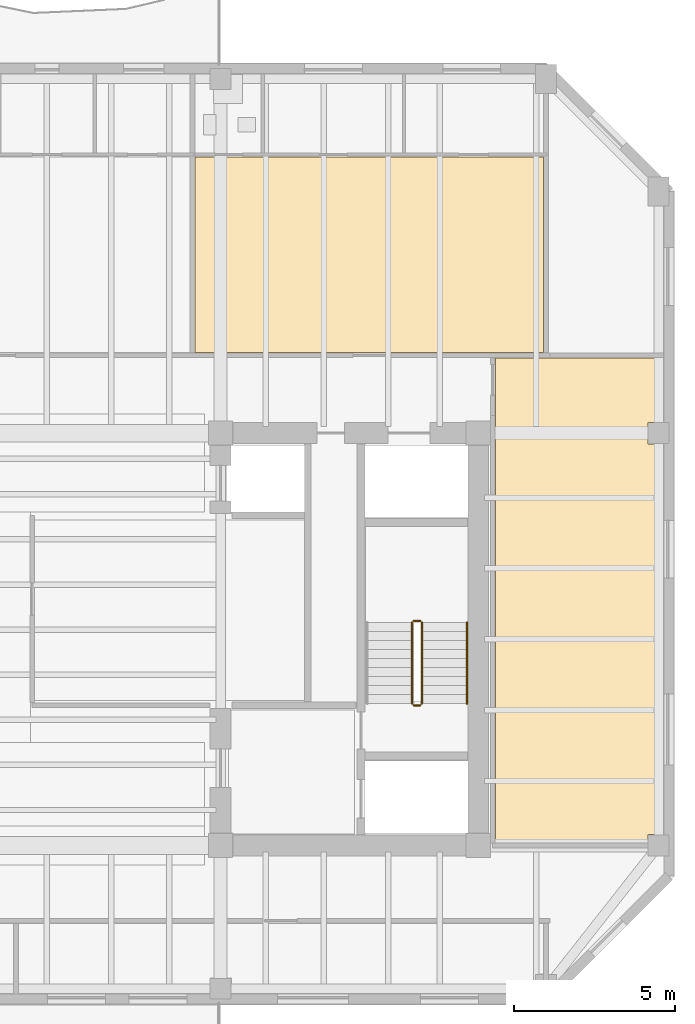
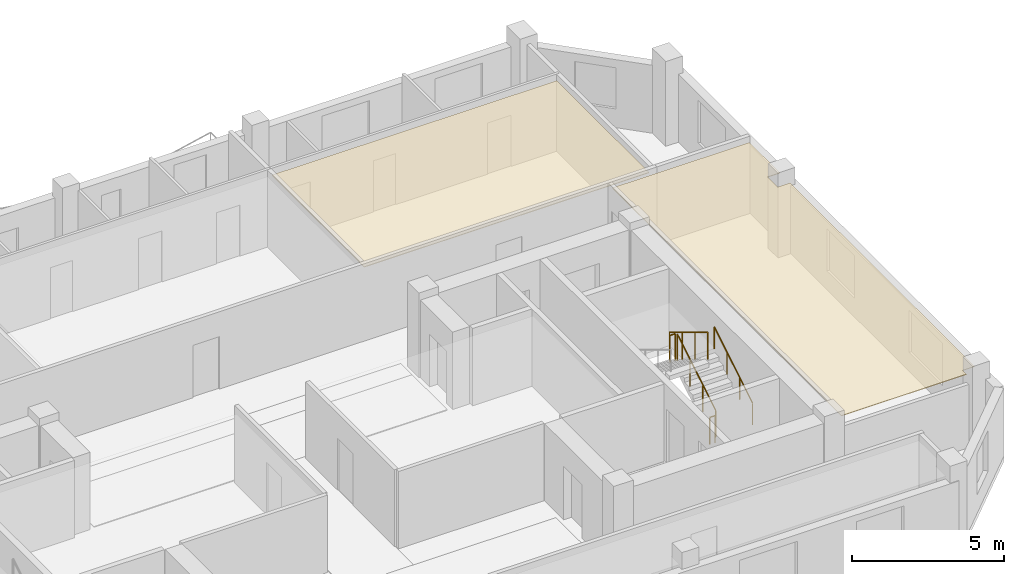
# One storey, part 9 of 10: 5 railings, 2 coverings.
"""IFC4 building model written with IfcOpenShell, lengths in metres."""

import ifcopenshell
import ifcopenshell.guid

model = None  # the IFC model being written
_history = None  # IfcOwnerHistory: only IFC2X3 demands one
_inside = {}  # id of a spatial element -> (the spatial element, [elements in it])
_under = {}  # id of a project, library or spatial element -> (it, [spatial elements below it])
_declared = {}  # id of a project -> (the project, [libraries it declares])
_typed = {}  # id of a type object -> (the type object, [elements of that type])
_made_of = {}  # id of a material, layer set ... -> (it, [elements and type objects made of it])


def new_model(schema):
    """Start an empty IFC model of exactly this schema.

    Asked for "IFC4X3", IfcOpenShell would pick the latest addendum, in which some entities
    have other attributes; the version numbers below select the first issue.
    IFC2X3 requires an IfcOwnerHistory on every rooted entity: one is made here for all.
    """
    global model, _history
    if schema == "IFC4X3":
        model = ifcopenshell.file(schema_version=(4, 3, 0, 0))
    else:
        model = ifcopenshell.file(schema=schema)
    _inside.clear()
    _under.clear()
    _declared.clear()
    _typed.clear()
    _made_of.clear()
    _history = None
    if model.schema == "IFC2X3":
        org = make("IfcOrganization", Name="unknown")
        user = make(
            "IfcPersonAndOrganization",
            ThePerson=make("IfcPerson", FamilyName="unknown"),
            TheOrganization=org,
        )
        app = make(
            "IfcApplication",
            ApplicationDeveloper=org,
            Version="unknown",
            ApplicationFullName="unknown",
            ApplicationIdentifier="unknown",
        )
        _history = make(
            "IfcOwnerHistory",
            OwningUser=user,
            OwningApplication=app,
            ChangeAction="ADDED",
            CreationDate=0,
        )
    return model


def make(cls, **values):
    """One entity of the class cls with the attributes given. An attribute that is None is left unset."""
    return model.create_entity(
        cls, **{name: value for name, value in values.items() if value is not None}
    )


def rooted(cls, **values):
    """An entity with a GlobalId (a new one), such as an element, a storey or a relation."""
    return make(cls, GlobalId=ifcopenshell.guid.new(), OwnerHistory=_history, **values)


def si_unit(unit_type, name, prefix=None):
    """IfcSIUnit, for example si_unit("LENGTHUNIT", "METRE", prefix="MILLI")."""
    return make("IfcSIUnit", UnitType=unit_type, Prefix=prefix, Name=name)


def assignment(units):
    """IfcUnitAssignment: the units of a project."""
    return None if units is None else make("IfcUnitAssignment", Units=units)


def point(xyz):
    """IfcCartesianPoint."""
    return None if xyz is None else make("IfcCartesianPoint", Coordinates=xyz)


def direction(xyz):
    """IfcDirection."""
    return None if xyz is None else make("IfcDirection", DirectionRatios=xyz)


def frame(location, z_axis=None, x_axis=None):
    """IfcAxis2Placement3D, a coordinate frame: its origin and axes. An axis left out is left unset."""
    return make(
        "IfcAxis2Placement3D",
        Location=point(location),
        Axis=direction(z_axis),
        RefDirection=direction(x_axis),
    )


def frame_2d(location, x_axis=None):
    """IfcAxis2Placement2D, a coordinate frame in the plane: its origin and x axis."""
    return make(
        "IfcAxis2Placement2D", Location=point(location), RefDirection=direction(x_axis)
    )


def origin():
    """The frame at (0, 0, 0) with its axes left unset."""
    return frame((0.0, 0.0, 0.0))


def origin_2d():
    """The frame at (0, 0) in the plane with its x axis left unset."""
    return frame_2d((0.0, 0.0))


def place(relative_to, where):
    """IfcLocalPlacement: puts the frame where relative to a parent placement (None: the world)."""
    return make(
        "IfcLocalPlacement", PlacementRelTo=relative_to, RelativePlacement=where
    )


def context(
    kind, dimensions, precision=None, world=None, true_north=None, identifier=None
):
    """IfcGeometricRepresentationContext, for example the 3D "Model" context."""
    return make(
        "IfcGeometricRepresentationContext",
        ContextIdentifier=identifier,
        ContextType=kind,
        CoordinateSpaceDimension=dimensions,
        Precision=precision,
        WorldCoordinateSystem=world,
        TrueNorth=true_north,
    )


def subcontext(parent, identifier, kind, view, scale=None):
    """IfcGeometricRepresentationSubContext, for example "Body" below "Model"."""
    return make(
        "IfcGeometricRepresentationSubContext",
        ContextIdentifier=identifier,
        ContextType=kind,
        ParentContext=parent,
        TargetScale=scale,
        TargetView=view,
    )


def project(units=None, contexts=None):
    """IfcProject with its units and contexts."""
    return rooted(
        "IfcProject",
        Name="project",
        RepresentationContexts=contexts,
        UnitsInContext=assignment(units),
    )


def spatial(cls, under=None, at=None, **own):
    """A site, building, storey or space (cls), placed at a placement, below another one or the project."""
    s = rooted(cls, ObjectPlacement=at, **own)
    if under is not None:
        _under.setdefault(under.id(), (under, []))[1].append(s)
    return s


def polyline(points):
    """IfcPolyline through the points."""
    return make("IfcPolyline", Points=[point(p) for p in points])


def profile(cls, at=None, kind="AREA", **sizes):
    """A parametric profile (cls). Its sizes go by their IFC names, for example OverallWidth=200.0."""
    return make(cls, ProfileType=kind, Position=at, **sizes)


def circle(**sizes):
    """IfcCircleProfileDef."""
    return profile("IfcCircleProfileDef", **sizes)


def outline(outer, holes=None, kind="AREA"):
    """IfcArbitraryClosedProfileDef: a profile drawn as a closed curve; with holes, ...WithVoids."""
    if holes is None:
        return make("IfcArbitraryClosedProfileDef", ProfileType=kind, OuterCurve=outer)
    return make(
        "IfcArbitraryProfileDefWithVoids",
        ProfileType=kind,
        OuterCurve=outer,
        InnerCurves=holes,
    )


def extrude(swept, where, along, depth):
    """IfcExtrudedAreaSolid: the profile swept, set in the frame where, extruded along a direction by depth."""
    return make(
        "IfcExtrudedAreaSolid",
        SweptArea=swept,
        Position=where,
        ExtrudedDirection=direction(along),
        Depth=depth,
    )


def shape(context_of_items, identifier, shape_type, items):
    """IfcShapeRepresentation: the items that make up one representation, for example the "Body"."""
    return make(
        "IfcShapeRepresentation",
        ContextOfItems=context_of_items,
        RepresentationIdentifier=identifier,
        RepresentationType=shape_type,
        Items=items,
    )


def material(Name=None, Category=None):
    """IfcMaterial."""
    return make("IfcMaterial", Name=Name, Category=Category)


def layer(
    of_material, thickness, ventilated=None, Name=None, Category=None, Priority=None
):
    """IfcMaterialLayer: one layer of a wall or slab, of a material (None: an air gap)."""
    return make(
        "IfcMaterialLayer",
        Material=of_material,
        LayerThickness=thickness,
        IsVentilated=ventilated,
        Name=Name,
        Category=Category,
        Priority=Priority,
    )


def layer_set(layers, Name=None):
    """IfcMaterialLayerSet."""
    return make("IfcMaterialLayerSet", MaterialLayers=layers, LayerSetName=Name)


def made_of(thing, what):
    """Note that an element or type object is made of a material, layer set ...; save() writes the relation."""
    if what is not None:
        _made_of.setdefault(what.id(), (what, []))[1].append(thing)
    return thing


def type_object(cls, material=None, **own):
    """A type object (cls), such as IfcWallType, which elements share."""
    return made_of(rooted(cls, **own), material)


def element(
    cls,
    number,
    at=None,
    inside=None,
    cuts=None,
    type_object=None,
    material=None,
    context=None,
    identifier="Body",
    shape_type=None,
    held_by="IfcProductDefinitionShape",
    body=None,
    shapes=None,
    **own,
):
    """One element of the class cls, such as IfcWall. Its Tag is "e" and its number.

    at: its placement. inside: the storey or other place that contains it. cuts: it is an
    opening in that element (IfcRelVoidsElement). A single representation is given by context,
    identifier, shape_type and body (its items); several are given by shapes. held_by: the class
    of the entity that holds the representations. save() writes the other relations.
    """
    e = rooted(cls, Tag="e%d" % number, ObjectPlacement=at, **own)
    if body is not None:
        shapes = [shape(context, identifier, shape_type, body)]
    if shapes is not None:
        e.Representation = make(held_by, Representations=shapes)
    if inside is not None:
        _inside.setdefault(inside.id(), (inside, []))[1].append(e)
    if cuts is not None:
        rooted(
            "IfcRelVoidsElement", RelatingBuildingElement=cuts, RelatedOpeningElement=e
        )
    if type_object is not None:
        _typed.setdefault(type_object.id(), (type_object, []))[1].append(e)
    return made_of(e, material)


def aggregate(whole, parts):
    """IfcRelAggregates: a whole, such as a stair, and the parts it consists of."""
    return rooted("IfcRelAggregates", RelatingObject=whole, RelatedObjects=parts)


def save(model, path):
    """Write the relations noted so far, then the file.

    IfcRelAggregates (storeys below a building ...), IfcRelContainedInSpatialStructure (elements
    in a storey), IfcRelDefinesByType, IfcRelAssociatesMaterial and IfcRelDeclares: one each for
    every whole, place, type object, material and project.
    """
    for whole, parts in _under.values():
        aggregate(whole, parts)
    for where, things in _inside.values():
        rooted(
            "IfcRelContainedInSpatialStructure",
            RelatedElements=things,
            RelatingStructure=where,
        )
    for kind, things in _typed.values():
        rooted("IfcRelDefinesByType", RelatedObjects=things, RelatingType=kind)
    for what, things in _made_of.values():
        rooted("IfcRelAssociatesMaterial", RelatedObjects=things, RelatingMaterial=what)
    for by, libraries in _declared.values():
        rooted("IfcRelDeclares", RelatingContext=by, RelatedDefinitions=libraries)
    model.write(path)


model = new_model("IFC4")

# Units and contexts
model_context = context("Model", 3, precision=1e-05, world=origin(), true_north=direction((0.0, 1.0)))
body_context = subcontext(model_context, "Body", "Model", "MODEL_VIEW")
ifc_project = project(units=[si_unit("LENGTHUNIT", "METRE"), si_unit("AREAUNIT", "SQUARE_METRE"), si_unit("VOLUMEUNIT", "CUBIC_METRE"), si_unit("PLANEANGLEUNIT", "RADIAN"), si_unit("MASSUNIT", "GRAM", prefix="KILO")], contexts=[model_context])

# Site, building, storey
site_placement = place(None, origin())
site = spatial("IfcSite", under=ifc_project, at=site_placement, CompositionType="ELEMENT")
building_placement = place(site_placement, origin())
building = spatial("IfcBuilding", under=site, at=building_placement, Name="Kranthara Brick Stack", CompositionType="ELEMENT")
storey_placement = place(building_placement, frame((0.0, 0.0, 272.10009765625)))
storey = spatial("IfcBuildingStorey", under=building, at=storey_placement, Name="L72", CompositionType="ELEMENT", Elevation=272.10009765625)

# Coverings
ifc_material_1 = material(Name="Perforated mineral-fibre acoustic ceiling tile", Category="other")
ifc_layer = layer(ifc_material_1, 0.02490234375)
ifc_layer_set = layer_set([ifc_layer], Name="Perforated mineral-fibre acoustic ceiling tile")
covering_type = type_object("IfcCoveringType", Name="COV-CEIL-ACOUSTIC", PredefinedType="CEILING", material=ifc_layer_set)
covering_1_placement = place(storey_placement, frame((0.0, 0.0, 2.829833984375)))
element("IfcCovering", 1, at=covering_1_placement, inside=storey, type_object=covering_type, Name="L72 Unit L72C 1-Bed Apartment Living Dining Acoustic Ceiling", PredefinedType="CEILING", context=body_context, shape_type="SweptSolid", body=[
    extrude(outline(polyline([(45.219970703125, 36.10009765625), (45.219970703125, 42.169921875), (34.409912109375, 42.169921875), (34.409912109375, 36.10009765625), (45.219970703125, 36.10009765625)])), origin(), (0.0, 0.0, 1.0), 0.025146484375),
])
covering_2_placement = place(storey_placement, frame((0.0, 0.0, 2.829833984375)))
element("IfcCovering", 2, at=covering_2_placement, inside=storey, type_object=covering_type, Name="L72 L72 East Panoramic Sky Conservatory Acoustic Ceiling", PredefinedType="CEILING", context=body_context, shape_type="SweptSolid", body=[
    extrude(outline(polyline([(43.72998046875, 35.93994140625), (48.929931640625, 35.93994140625), (48.929931640625, 33.93505859375), (48.465087890625, 33.93505859375), (48.465087890625, 33.264892578125), (48.929931640625, 33.264892578125), (48.929931640625, 21.135009765625), (48.465087890625, 21.135009765625), (48.465087890625, 20.8798828125), (43.72998046875, 20.8798828125), (43.72998046875, 35.93994140625)])), origin(), (0.0, 0.0, 1.0), 0.025146484375),
])

# Railings
ifc_material_2 = material(Name="Painted galvanized steel stair guardrail", Category="steel")
railing_type_1 = type_object("IfcRailingType", Name="RL-STAIR-GUARD-1100", PredefinedType="GUARDRAIL", material=ifc_material_2)
railing_1_placement = place(storey_placement, frame((41.449951171875, 25.199951171875, 0.169921875)))
element("IfcRailing", 3, at=railing_1_placement, inside=storey, type_object=railing_type_1, Name="L72 ST02 stair guard 1", PredefinedType="GUARDRAIL", context=body_context, shape_type="SweptSolid", body=[
    extrude(circle(Radius=0.02392578125, at=origin_2d()), frame((0.0, 0.0, 1.076171875), z_axis=(0.0, 0.85478489116, 0.518982456201), x_axis=(-1.0, 0.0, 0.0)), (0.0, 0.0, 1.0), 2.9482421875),
    extrude(circle(Radius=0.02099609375, at=origin_2d()), origin(), (0.0, 0.0, 1.0), 1.052001953125),
    extrude(circle(Radius=0.02099609375, at=origin_2d()), frame((0.0, 0.840087890625, 0.510009765625)), (0.0, 0.0, 1.0), 1.052001953125),
    extrude(circle(Radius=0.02099609375, at=origin_2d()), frame((0.0, 1.679931640625, 1.02001953125)), (0.0, 0.0, 1.0), 1.052001953125),
    extrude(circle(Radius=0.02099609375, at=origin_2d()), frame((0.0, 2.52001953125, 1.530029296875)), (0.0, 0.0, 1.0), 1.052001953125),
])
railing_2_placement = place(storey_placement, frame((41.39990234375, 27.77001953125, 1.699951171875)))
element("IfcRailing", 4, at=railing_2_placement, inside=storey, type_object=railing_type_1, Name="L72 ST02 stair guard 2", PredefinedType="GUARDRAIL", context=body_context, shape_type="SweptSolid", body=[
    extrude(circle(Radius=0.02392578125, at=origin_2d()), frame((0.0, 0.0, 1.076171875), z_axis=(-1.0, 0.0, 0.0), x_axis=(0.0, -1.0, 0.0)), (0.0, 0.0, 1.0), 0.199951171875),
    extrude(circle(Radius=0.02099609375, at=origin_2d()), origin(), (0.0, 0.0, 1.0), 1.052001953125),
    extrude(circle(Radius=0.02099609375, at=origin_2d()), frame((-0.199951171875, 0.0, 0.0)), (0.0, 0.0, 1.0), 1.052001953125),
])
railing_3_placement = place(storey_placement, frame((41.14990234375, 27.719970703125, 1.869873046875)))
element("IfcRailing", 5, at=railing_3_placement, inside=storey, type_object=railing_type_1, Name="L72 ST02 stair guard 3", PredefinedType="GUARDRAIL", context=body_context, shape_type="SweptSolid", body=[
    extrude(circle(Radius=0.02392578125, at=origin_2d()), frame((0.0, 0.0, 1.076171875), z_axis=(0.0, -0.85478489116, 0.518982456201), x_axis=(1.0, 0.0, 0.0)), (0.0, 0.0, 1.0), 2.9482421875),
    extrude(circle(Radius=0.02099609375, at=origin_2d()), origin(), (0.0, 0.0, 1.0), 1.052001953125),
    extrude(circle(Radius=0.02099609375, at=origin_2d()), frame((0.0, -0.840087890625, 0.510009765625)), (0.0, 0.0, 1.0), 1.052001953125),
    extrude(circle(Radius=0.02099609375, at=origin_2d()), frame((0.0, -1.679931640625, 1.02001953125)), (0.0, 0.0, 1.0), 1.052001953125),
    extrude(circle(Radius=0.02099609375, at=origin_2d()), frame((0.0, -2.52001953125, 1.530029296875)), (0.0, 0.0, 1.0), 1.052001953125),
])
railing_4_placement = place(storey_placement, frame((41.39990234375, 25.14990234375, 0.0)))
element("IfcRailing", 6, at=railing_4_placement, inside=storey, type_object=railing_type_1, Name="L72 ST02 stair guard 4", PredefinedType="GUARDRAIL", context=body_context, shape_type="SweptSolid", body=[
    extrude(circle(Radius=0.02392578125, at=origin_2d()), frame((0.0, 0.0, 1.076171875), z_axis=(-1.0, 0.0, 0.0), x_axis=(0.0, -1.0, 0.0)), (0.0, 0.0, 1.0), 0.199951171875),
    extrude(circle(Radius=0.02099609375, at=origin_2d()), origin(), (0.0, 0.0, 1.0), 1.052001953125),
    extrude(circle(Radius=0.02099609375, at=origin_2d()), frame((-0.199951171875, 0.0, 0.0)), (0.0, 0.0, 1.0), 1.052001953125),
])
ifc_material_3 = material(Name="Brushed stainless steel tubular handrail", Category="steel")
railing_type_2 = type_object("IfcRailingType", Name="RL-STAIR-HAND-900", PredefinedType="HANDRAIL", material=ifc_material_3)
railing_5_placement = place(storey_placement, frame((42.85009765625, 25.199951171875, 0.169921875)))
element("IfcRailing", 7, at=railing_5_placement, inside=storey, type_object=railing_type_2, Name="L72 ST02 stair handrail 1", PredefinedType="HANDRAIL", context=body_context, shape_type="SweptSolid", body=[
    extrude(circle(Radius=0.02392578125, at=origin_2d()), frame((0.0, 0.0, 0.8759765625), z_axis=(0.0, 0.85478489116, 0.518982456201), x_axis=(-1.0, 0.0, 0.0)), (0.0, 0.0, 1.0), 2.9482421875),
    extrude(circle(Radius=0.02099609375, at=origin_2d()), origin(), (0.0, 0.0, 1.0), 0.851806640625),
    extrude(circle(Radius=0.02099609375, at=origin_2d()), frame((0.0, 0.840087890625, 0.510009765625)), (0.0, 0.0, 1.0), 0.851806640625),
    extrude(circle(Radius=0.02099609375, at=origin_2d()), frame((0.0, 1.679931640625, 1.02001953125)), (0.0, 0.0, 1.0), 0.851806640625),
    extrude(circle(Radius=0.02099609375, at=origin_2d()), frame((0.0, 2.52001953125, 1.530029296875)), (0.0, 0.0, 1.0), 0.851806640625),
])

save(model, "model.ifc")
